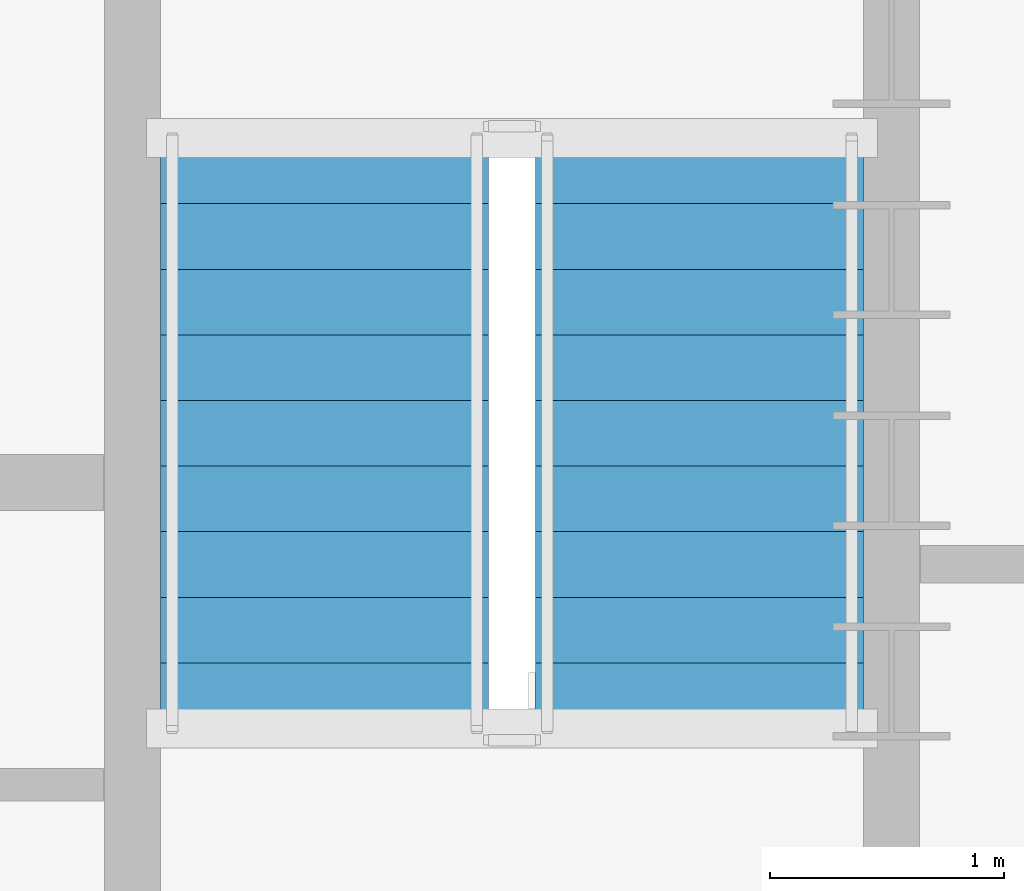
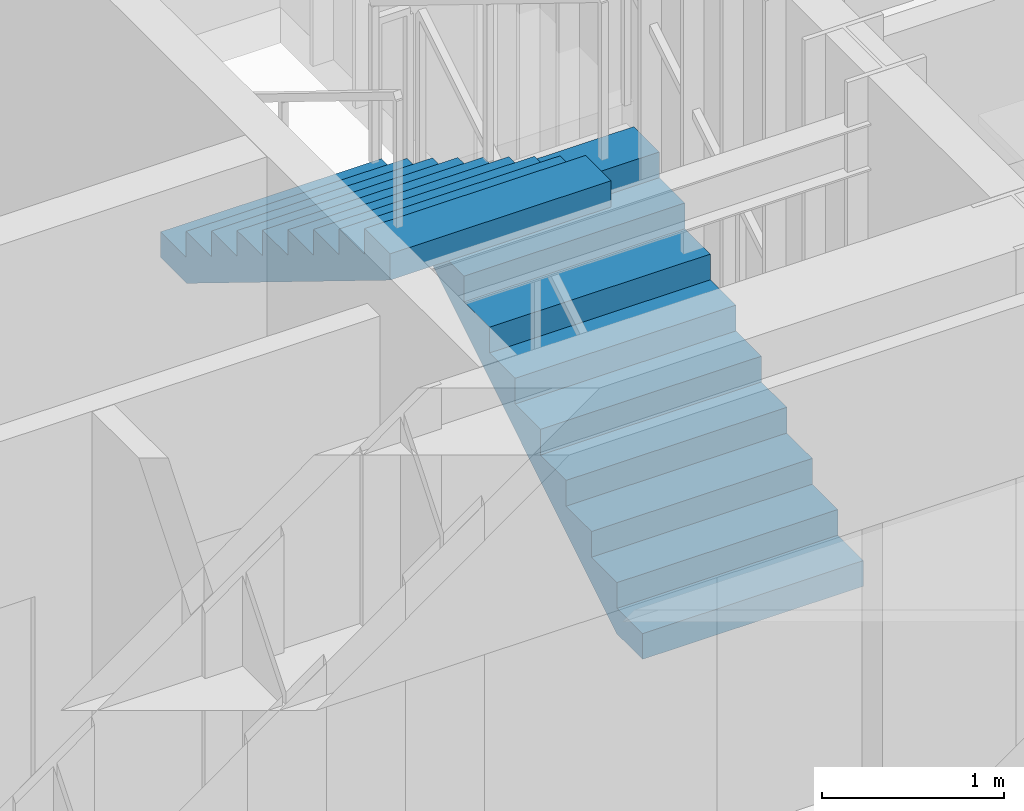
# One storey, part 9 of 12: 2 stair flights, 1 element without a shape of its own.
"""IFC4 building model written with IfcOpenShell, lengths in metres."""

import ifcopenshell
import ifcopenshell.guid

model = None  # the IFC model being written
_history = None  # IfcOwnerHistory: only IFC2X3 demands one
_inside = {}  # id of a spatial element -> (the spatial element, [elements in it])
_under = {}  # id of a project, library or spatial element -> (it, [spatial elements below it])
_declared = {}  # id of a project -> (the project, [libraries it declares])
_typed = {}  # id of a type object -> (the type object, [elements of that type])
_made_of = {}  # id of a material, layer set ... -> (it, [elements and type objects made of it])


def new_model(schema):
    """Start an empty IFC model of exactly this schema.

    Asked for "IFC4X3", IfcOpenShell would pick the latest addendum, in which some entities
    have other attributes; the version numbers below select the first issue.
    IFC2X3 requires an IfcOwnerHistory on every rooted entity: one is made here for all.
    """
    global model, _history
    if schema == "IFC4X3":
        model = ifcopenshell.file(schema_version=(4, 3, 0, 0))
    else:
        model = ifcopenshell.file(schema=schema)
    _inside.clear()
    _under.clear()
    _declared.clear()
    _typed.clear()
    _made_of.clear()
    _history = None
    if model.schema == "IFC2X3":
        org = make("IfcOrganization", Name="unknown")
        user = make(
            "IfcPersonAndOrganization",
            ThePerson=make("IfcPerson", FamilyName="unknown"),
            TheOrganization=org,
        )
        app = make(
            "IfcApplication",
            ApplicationDeveloper=org,
            Version="unknown",
            ApplicationFullName="unknown",
            ApplicationIdentifier="unknown",
        )
        _history = make(
            "IfcOwnerHistory",
            OwningUser=user,
            OwningApplication=app,
            ChangeAction="ADDED",
            CreationDate=0,
        )
    return model


def make(cls, **values):
    """One entity of the class cls with the attributes given. An attribute that is None is left unset."""
    return model.create_entity(
        cls, **{name: value for name, value in values.items() if value is not None}
    )


def rooted(cls, **values):
    """An entity with a GlobalId (a new one), such as an element, a storey or a relation."""
    return make(cls, GlobalId=ifcopenshell.guid.new(), OwnerHistory=_history, **values)


def si_unit(unit_type, name, prefix=None):
    """IfcSIUnit, for example si_unit("LENGTHUNIT", "METRE", prefix="MILLI")."""
    return make("IfcSIUnit", UnitType=unit_type, Prefix=prefix, Name=name)


def assignment(units):
    """IfcUnitAssignment: the units of a project."""
    return None if units is None else make("IfcUnitAssignment", Units=units)


def point(xyz):
    """IfcCartesianPoint."""
    return None if xyz is None else make("IfcCartesianPoint", Coordinates=xyz)


def direction(xyz):
    """IfcDirection."""
    return None if xyz is None else make("IfcDirection", DirectionRatios=xyz)


def frame(location, z_axis=None, x_axis=None):
    """IfcAxis2Placement3D, a coordinate frame: its origin and axes. An axis left out is left unset."""
    return make(
        "IfcAxis2Placement3D",
        Location=point(location),
        Axis=direction(z_axis),
        RefDirection=direction(x_axis),
    )


def origin():
    """The frame at (0, 0, 0) with its axes left unset."""
    return frame((0.0, 0.0, 0.0))


def place(relative_to, where):
    """IfcLocalPlacement: puts the frame where relative to a parent placement (None: the world)."""
    return make(
        "IfcLocalPlacement", PlacementRelTo=relative_to, RelativePlacement=where
    )


def context(
    kind, dimensions, precision=None, world=None, true_north=None, identifier=None
):
    """IfcGeometricRepresentationContext, for example the 3D "Model" context."""
    return make(
        "IfcGeometricRepresentationContext",
        ContextIdentifier=identifier,
        ContextType=kind,
        CoordinateSpaceDimension=dimensions,
        Precision=precision,
        WorldCoordinateSystem=world,
        TrueNorth=true_north,
    )


def subcontext(parent, identifier, kind, view, scale=None):
    """IfcGeometricRepresentationSubContext, for example "Body" below "Model"."""
    return make(
        "IfcGeometricRepresentationSubContext",
        ContextIdentifier=identifier,
        ContextType=kind,
        ParentContext=parent,
        TargetScale=scale,
        TargetView=view,
    )


def project(units=None, contexts=None):
    """IfcProject with its units and contexts."""
    return rooted(
        "IfcProject",
        Name="project",
        RepresentationContexts=contexts,
        UnitsInContext=assignment(units),
    )


def spatial(cls, under=None, at=None, **own):
    """A site, building, storey or space (cls), placed at a placement, below another one or the project."""
    s = rooted(cls, ObjectPlacement=at, **own)
    if under is not None:
        _under.setdefault(under.id(), (under, []))[1].append(s)
    return s


def polyline(points):
    """IfcPolyline through the points."""
    return make("IfcPolyline", Points=[point(p) for p in points])


def outline(outer, holes=None, kind="AREA"):
    """IfcArbitraryClosedProfileDef: a profile drawn as a closed curve; with holes, ...WithVoids."""
    if holes is None:
        return make("IfcArbitraryClosedProfileDef", ProfileType=kind, OuterCurve=outer)
    return make(
        "IfcArbitraryProfileDefWithVoids",
        ProfileType=kind,
        OuterCurve=outer,
        InnerCurves=holes,
    )


def extrude(swept, where, along, depth):
    """IfcExtrudedAreaSolid: the profile swept, set in the frame where, extruded along a direction by depth."""
    return make(
        "IfcExtrudedAreaSolid",
        SweptArea=swept,
        Position=where,
        ExtrudedDirection=direction(along),
        Depth=depth,
    )


def shape(context_of_items, identifier, shape_type, items):
    """IfcShapeRepresentation: the items that make up one representation, for example the "Body"."""
    return make(
        "IfcShapeRepresentation",
        ContextOfItems=context_of_items,
        RepresentationIdentifier=identifier,
        RepresentationType=shape_type,
        Items=items,
    )


def material(Name=None, Category=None):
    """IfcMaterial."""
    return make("IfcMaterial", Name=Name, Category=Category)


def made_of(thing, what):
    """Note that an element or type object is made of a material, layer set ...; save() writes the relation."""
    if what is not None:
        _made_of.setdefault(what.id(), (what, []))[1].append(thing)
    return thing


def type_object(cls, material=None, **own):
    """A type object (cls), such as IfcWallType, which elements share."""
    return made_of(rooted(cls, **own), material)


def element(
    cls,
    number,
    at=None,
    inside=None,
    cuts=None,
    type_object=None,
    material=None,
    context=None,
    identifier="Body",
    shape_type=None,
    held_by="IfcProductDefinitionShape",
    body=None,
    shapes=None,
    **own,
):
    """One element of the class cls, such as IfcWall. Its Tag is "e" and its number.

    at: its placement. inside: the storey or other place that contains it. cuts: it is an
    opening in that element (IfcRelVoidsElement). A single representation is given by context,
    identifier, shape_type and body (its items); several are given by shapes. held_by: the class
    of the entity that holds the representations. save() writes the other relations.
    """
    e = rooted(cls, Tag="e%d" % number, ObjectPlacement=at, **own)
    if body is not None:
        shapes = [shape(context, identifier, shape_type, body)]
    if shapes is not None:
        e.Representation = make(held_by, Representations=shapes)
    if inside is not None:
        _inside.setdefault(inside.id(), (inside, []))[1].append(e)
    if cuts is not None:
        rooted(
            "IfcRelVoidsElement", RelatingBuildingElement=cuts, RelatedOpeningElement=e
        )
    if type_object is not None:
        _typed.setdefault(type_object.id(), (type_object, []))[1].append(e)
    return made_of(e, material)


def aggregate(whole, parts):
    """IfcRelAggregates: a whole, such as a stair, and the parts it consists of."""
    return rooted("IfcRelAggregates", RelatingObject=whole, RelatedObjects=parts)


def save(model, path):
    """Write the relations noted so far, then the file.

    IfcRelAggregates (storeys below a building ...), IfcRelContainedInSpatialStructure (elements
    in a storey), IfcRelDefinesByType, IfcRelAssociatesMaterial and IfcRelDeclares: one each for
    every whole, place, type object, material and project.
    """
    for whole, parts in _under.values():
        aggregate(whole, parts)
    for where, things in _inside.values():
        rooted(
            "IfcRelContainedInSpatialStructure",
            RelatedElements=things,
            RelatingStructure=where,
        )
    for kind, things in _typed.values():
        rooted("IfcRelDefinesByType", RelatedObjects=things, RelatingType=kind)
    for what, things in _made_of.values():
        rooted("IfcRelAssociatesMaterial", RelatedObjects=things, RelatingMaterial=what)
    for by, libraries in _declared.values():
        rooted("IfcRelDeclares", RelatingContext=by, RelatedDefinitions=libraries)
    model.write(path)


model = new_model("IFC4")

# Units and contexts
model_context = context("Model", 3, precision=1e-05, world=origin(), true_north=direction((0.0, 1.0)))
body_context = subcontext(model_context, "Body", "Model", "MODEL_VIEW")
ifc_project = project(units=[si_unit("LENGTHUNIT", "METRE"), si_unit("AREAUNIT", "SQUARE_METRE"), si_unit("VOLUMEUNIT", "CUBIC_METRE"), si_unit("PLANEANGLEUNIT", "RADIAN"), si_unit("MASSUNIT", "GRAM", prefix="KILO")], contexts=[model_context])

# Site, building, storey
site_placement = place(None, origin())
site = spatial("IfcSite", under=ifc_project, at=site_placement, CompositionType="ELEMENT")
building_placement = place(site_placement, origin())
building = spatial("IfcBuilding", under=site, at=building_placement, Name="Haldorwick Loom Tower", CompositionType="ELEMENT")
storey_placement = place(building_placement, frame((0.0, 0.0, 146.0)))
storey = spatial("IfcBuildingStorey", under=building, at=storey_placement, Name="L39", CompositionType="ELEMENT", Elevation=146.0)

# Stair, stair flights
ifc_material = material(Name="Concrete C40 (40 MPa)", Category="concrete")
stair_type = type_object("IfcStairType", Name="STR-STR-CORE", PredefinedType="HALF_TURN_STAIR", material=ifc_material)
stair_placement = place(storey_placement, origin())
stair = element("IfcStair", 1, at=stair_placement, inside=storey, type_object=stair_type, Name="L39 Exit Stair ST-02", PredefinedType="HALF_TURN_STAIR")
stair_flight_type = type_object("IfcStairFlightType", Name="STR-STF-1250", PredefinedType="STRAIGHT", material=ifc_material)
stair_flight_1_placement = place(storey_placement, frame((49.25, 28.39990234375, 0.0), z_axis=(0.0, 0.0, 1.0), x_axis=(0.0, 1.0, 0.0)))
stair_flight_1 = element("IfcStairFlight", 2, at=stair_flight_1_placement, type_object=stair_flight_type, Name="ST-02 flight 1", NumberOfRisers=10, NumberOfTreads=9, PredefinedType="STRAIGHT", RiserHeight=0.1725, TreadLength=0.28, context=body_context, shape_type="SweptSolid", body=[
    extrude(outline(polyline([(0.0, 0.0), (0.0, 0.172607421875), (0.280029296875, 0.172607421875), (0.280029296875, 0.344970703125), (0.56005859375, 0.344970703125), (0.56005859375, 0.517578125), (0.840087890625, 0.517578125), (0.840087890625, 0.68994140625), (1.1201171875, 0.68994140625), (1.1201171875, 0.862548828125), (1.39990234375, 0.862548828125), (1.39990234375, 1.034912109375), (1.679931640625, 1.034912109375), (1.679931640625, 1.20751953125), (1.9599609375, 1.20751953125), (1.9599609375, 1.3798828125), (2.239990234375, 1.3798828125), (2.239990234375, 1.552490234375), (2.52001953125, 1.552490234375), (2.52001953125, 1.72509765625), (2.52001953125, 1.37646484375), (0.285888671875, 0.0), (0.0, 0.0)])), frame((0.0, 0.699951171875, 0.0), z_axis=(0.0, -1.0, 0.0), x_axis=(1.0, 0.0, 0.0)), (0.0, 0.0, 1.0), 1.39990234375),
])
stair_flight_2_placement = place(storey_placement, frame((47.64990234375, 30.919921875, 1.72509765625), z_axis=(0.0, 0.0, 1.0), x_axis=(0.0, -1.0, 0.0)))
stair_flight_2 = element("IfcStairFlight", 3, at=stair_flight_2_placement, type_object=stair_flight_type, Name="ST-02 flight 2", NumberOfRisers=10, NumberOfTreads=9, PredefinedType="STRAIGHT", RiserHeight=0.1725, TreadLength=0.28, context=body_context, shape_type="SweptSolid", body=[
    extrude(outline(polyline([(0.0, 0.0), (0.0, 0.172607421875), (0.280029296875, 0.172607421875), (0.280029296875, 0.344970703125), (0.56005859375, 0.344970703125), (0.56005859375, 0.517578125), (0.840087890625, 0.517578125), (0.840087890625, 0.68994140625), (1.1201171875, 0.68994140625), (1.1201171875, 0.862548828125), (1.39990234375, 0.862548828125), (1.39990234375, 1.034912109375), (1.679931640625, 1.034912109375), (1.679931640625, 1.20751953125), (1.9599609375, 1.20751953125), (1.9599609375, 1.3798828125), (2.239990234375, 1.3798828125), (2.239990234375, 1.552490234375), (2.52001953125, 1.552490234375), (2.52001953125, 1.72509765625), (2.52001953125, 1.37646484375), (0.285888671875, 0.0), (0.0, 0.0)])), frame((0.0, 0.699951171875, 0.0), z_axis=(0.0, -1.0, 0.0), x_axis=(1.0, 0.0, 0.0)), (0.0, 0.0, 1.0), 1.39990234375),
])
aggregate(stair, [stair_flight_1, stair_flight_2])

save(model, "model.ifc")
